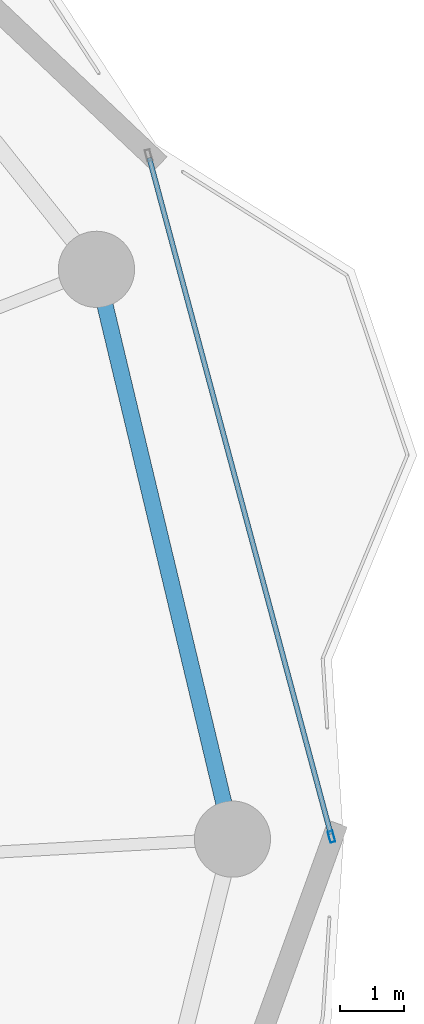
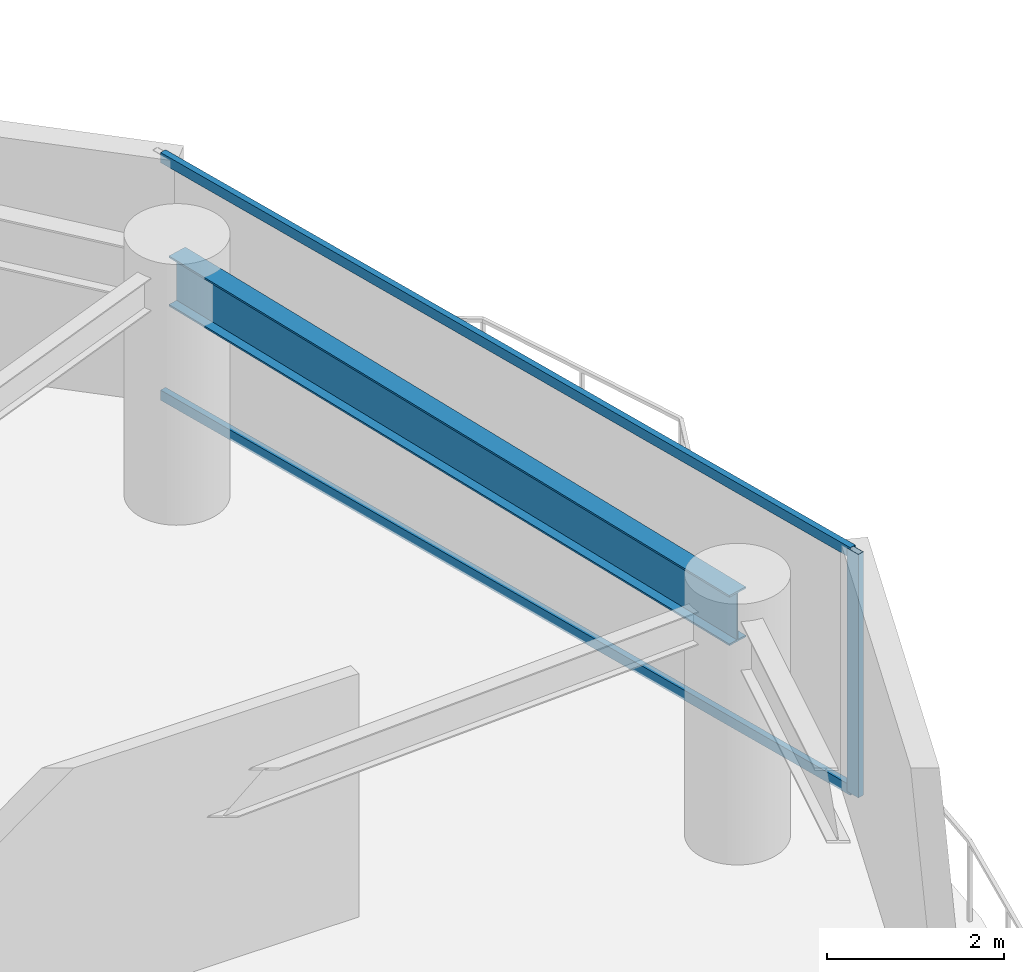
# One storey, part 15 of 28: 3 members, 1 beam, 1 element without a shape of its own.
"""IFC4 building model written with IfcOpenShell, lengths in metres."""

from ifc_helpers import new_model, si_unit, direction, frame, origin, origin_2d, place, context, subcontext, project, spatial, hollow_rectangle, i_section, extrude, material, layer, layer_set, material_profile, profile_set, type_object, element, aggregate, save


model = new_model("IFC4")

# Units and contexts
model_context = context("Model", 3, precision=1e-05, world=origin(), true_north=direction((0.0, 1.0)))
body_context = subcontext(model_context, "Body", "Model", "MODEL_VIEW")
ifc_project = project(units=[si_unit("LENGTHUNIT", "METRE"), si_unit("AREAUNIT", "SQUARE_METRE"), si_unit("VOLUMEUNIT", "CUBIC_METRE"), si_unit("PLANEANGLEUNIT", "RADIAN"), si_unit("MASSUNIT", "GRAM", prefix="KILO")], contexts=[model_context])

# Site, building, storey
site_placement = place(None, origin())
site = spatial("IfcSite", under=ifc_project, at=site_placement, CompositionType="ELEMENT")
building_placement = place(site_placement, origin())
building = spatial("IfcBuilding", under=site, at=building_placement, Name="Kazevale Care Tower and Concert Hall", CompositionType="ELEMENT")
storey_placement = place(building_placement, frame((0.0, 0.0, 120.60009765625)))
storey = spatial("IfcBuildingStorey", under=building, at=storey_placement, Name="L31", CompositionType="ELEMENT", Elevation=120.60009765625)

# Curtain wall, members
ifc_material_1 = material(Name="Aluminium 6063-T6 and Low-E Glass", Category="aluminium")
ifc_layer = layer(ifc_material_1, 0.179931640625)
ifc_layer_set = layer_set([ifc_layer], Name="Aluminium 6063-T6 and Low-E Glass")
curtain_wall_type = type_object("IfcCurtainWallType", Name="Waist & Upper Residential Curtain Wall CW-4", PredefinedType="NOTDEFINED", material=ifc_layer_set)
curtain_wall_placement = place(storey_placement, origin())
curtain_wall = element("IfcCurtainWall", 1, at=curtain_wall_placement, inside=storey, type_object=curtain_wall_type, Name="cw:L31:f18", PredefinedType="NOTDEFINED")
ifc_material_2 = material(Name="Aluminium 6063-T6", Category="aluminium")
ifc_material_profile_1 = material_profile(ifc_material_2, hollow_rectangle(XDim=0.080078125, YDim=0.179931640625, WallThickness=0.0048828125, at=origin_2d()), Name="ALU80x180x5")
ifc_profile_set_1 = profile_set([ifc_material_profile_1], Name="Aluminium 6063-T6")
member_type_1 = type_object("IfcMemberType", Name="CW-4 Mullion ALU80x180x5", PredefinedType="MULLION", material=ifc_profile_set_1)
member_1_placement = place(storey_placement, frame((74.609619140625, 38.03857421875, 0.0), z_axis=(0.0, 0.0, 1.0), x_axis=(0.965806263229, 0.259264848961, 0.0)))
member_1 = element("IfcMember", 2, at=member_1_placement, type_object=member_type_1, Name="CW-4 mullion 2", PredefinedType="MULLION", context=body_context, shape_type="SweptSolid", body=[
    extrude(hollow_rectangle(XDim=0.080078125, YDim=0.179931640625, WallThickness=0.0048828125, at=origin_2d()), origin(), (0.0, 0.0, 1.0), 3.35986328125),
])
ifc_material_profile_2 = material_profile(ifc_material_2, hollow_rectangle(XDim=0.080078125, YDim=0.139892578125, WallThickness=0.00390625, at=origin_2d()), Name="ALU80x140x4")
ifc_profile_set_2 = profile_set([ifc_material_profile_2], Name="Aluminium 6063-T6")
member_type_2 = type_object("IfcMemberType", Name="CW-4 Transom ALU80x140x4", PredefinedType="USERDEFINED", material=ifc_profile_set_2)
member_2_placement = place(storey_placement, frame((71.74072265625, 48.725830078125, 0.039794921875), z_axis=(0.259270636335, -0.965804709625, 0.0), x_axis=(0.965804709625, 0.259270636335, 0.0)))
member_2 = element("IfcMember", 3, at=member_2_placement, type_object=member_type_2, Name="CW-4 transom 1.1", ObjectType="TRANSOM", PredefinedType="USERDEFINED", context=body_context, shape_type="SweptSolid", body=[
    extrude(hollow_rectangle(XDim=0.080078125, YDim=0.139892578125, WallThickness=0.00390625, at=origin_2d()), origin(), (0.0, 0.0, 1.0), 11.025634765625),
])
member_3_placement = place(storey_placement, frame((71.74072265625, 48.725830078125, 3.31982421875), z_axis=(0.259270636335, -0.965804709625, 0.0), x_axis=(0.965804709625, 0.259270636335, 0.0)))
member_3 = element("IfcMember", 4, at=member_3_placement, type_object=member_type_2, Name="CW-4 transom 1.2", ObjectType="TRANSOM", PredefinedType="USERDEFINED", context=body_context, shape_type="SweptSolid", body=[
    extrude(hollow_rectangle(XDim=0.080078125, YDim=0.139892578125, WallThickness=0.00390625, at=origin_2d()), origin(), (0.0, 0.0, 1.0), 11.025634765625),
])
aggregate(curtain_wall, [member_1, member_2, member_3])

# Beam
ifc_material_3 = material(Name="Steel ASTM A572 Gr 50", Category="steel")
ifc_material_profile_3 = material_profile(ifc_material_3, i_section(OverallWidth=0.256103515625, OverallDepth=0.693115234375, WebThickness=0.014404296875, FlangeThickness=0.023681640625, at=origin_2d()), Name="W690x170")
ifc_profile_set_3 = profile_set([ifc_material_profile_3], Name="Steel ASTM A572 Gr 50")
beam_type = type_object("IfcBeamType", Name="Waist Ring Beam W690x170", PredefinedType="BEAM", material=ifc_profile_set_3)
beam_placement = place(storey_placement, frame((73.050048828125, 38.0, 3.013427734375), z_axis=(-0.232075055882, 0.972697881378, 0.0), x_axis=(-0.972697881378, -0.232075055882, 0.0)))
element("IfcBeam", 5, at=beam_placement, inside=storey, type_object=beam_type, Name="beam:L31:ring:01", PredefinedType="BEAM", context=body_context, shape_type="SweptSolid", body=[
    extrude(i_section(OverallWidth=0.256103515625, OverallDepth=0.693115234375, WebThickness=0.014404296875, FlangeThickness=0.023681640625, at=origin_2d()), origin(), (0.0, 0.0, 1.0), 9.2216796875),
])

save(model, "model.ifc")
